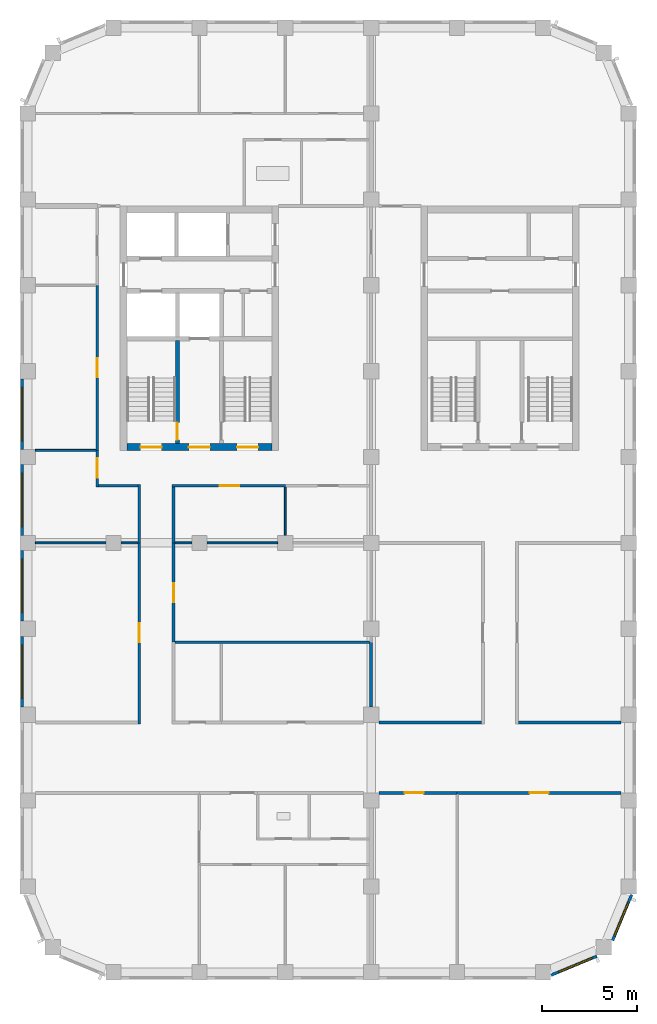
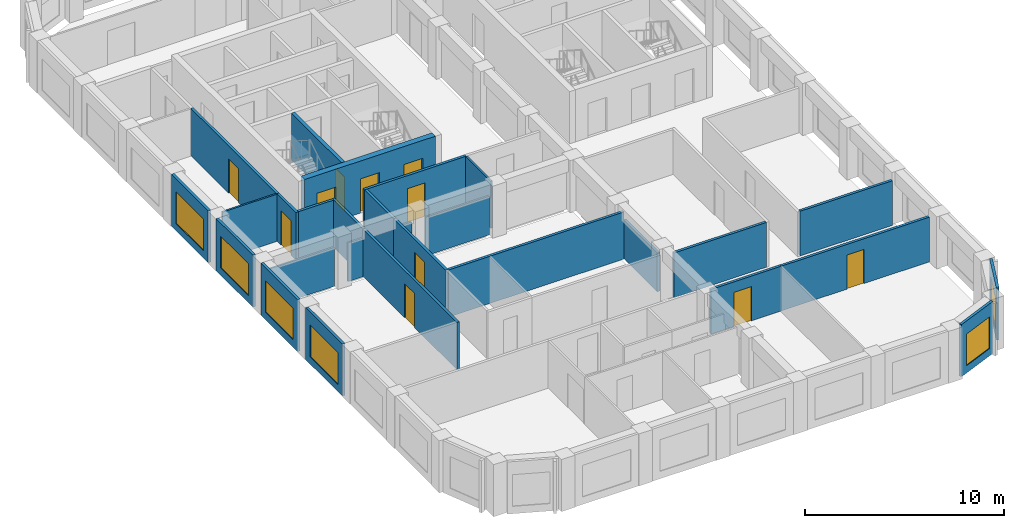
# One storey, part 3 of 9: 28 walls, 11 doors, 6 windows, 17 openings.
"""IFC4 building model written with IfcOpenShell, lengths in metres."""

from ifc_helpers import new_model, si_unit, direction, frame, frame_2d, origin, place, context, subcontext, project, spatial, rectangle, extrude, material, layer, layer_set, type_object, element, fill, save


model = new_model("IFC4")

# Units and contexts
model_context = context("Model", 3, precision=1e-05, world=origin(), true_north=direction((0.0, 1.0)))
body_context = subcontext(model_context, "Body", "Model", "MODEL_VIEW")
ifc_project = project(units=[si_unit("LENGTHUNIT", "METRE"), si_unit("AREAUNIT", "SQUARE_METRE"), si_unit("VOLUMEUNIT", "CUBIC_METRE"), si_unit("PLANEANGLEUNIT", "RADIAN"), si_unit("MASSUNIT", "GRAM", prefix="KILO")], contexts=[model_context])

# Site, building, storey
site_placement = place(None, origin())
site = spatial("IfcSite", under=ifc_project, at=site_placement, CompositionType="ELEMENT")
building_placement = place(site_placement, origin())
building = spatial("IfcBuilding", under=site, at=building_placement, Name="Girih Gate Residences", CompositionType="ELEMENT")
storey_placement = place(building_placement, frame((0.0, 0.0, 185.89990234375)))
storey = spatial("IfcBuildingStorey", under=building, at=storey_placement, Name="L51", CompositionType="ELEMENT", Elevation=185.89990234375)

# Wall, opening, door
ifc_material_1 = material(Name="Gypsum board on steel studs", Category="steel")
ifc_layer_1 = layer(ifc_material_1, 0.14990234375)
ifc_layer_set_1 = layer_set([ifc_layer_1], Name="Compartment wall 150 mm")
wall_type_1 = type_object("IfcWallType", Name="Compartment wall 150 mm", PredefinedType="PARTITIONING", material=ifc_layer_set_1)
wall_1_placement = place(storey_placement, frame((7.64990234375, 22.5, 0.0), z_axis=(0.0, 0.0, 1.0), x_axis=(0.0, -1.0, 0.0)))
wall_1 = element("IfcWall", 1, at=wall_1_placement, inside=storey, type_object=wall_type_1, Name="L51 partition", PredefinedType="PARTITIONING", context=body_context, shape_type="SweptSolid", body=[
    extrude(rectangle(XDim=5.199951171875, YDim=0.14990234375, at=frame_2d((2.60009765625, 0.0))), origin(), (0.0, 0.0, 1.0), 2.900146484375),
])
opening_1_placement = place(wall_1_placement, frame((2.10009765625, 0.0, 0.0)))
opening_1 = element("IfcOpeningElement", 2, at=opening_1_placement, cuts=wall_1, Name="Opening A51-013", PredefinedType="OPENING", context=body_context, shape_type="SweptSolid", body=[
    extrude(rectangle(XDim=1.0, YDim=2.10009765625, at=frame_2d((0.5, 1.050048828125))), frame((0.0, 0.0849609375, 0.0), z_axis=(0.0, -1.0, 0.0), x_axis=(1.0, 0.0, 0.0)), (0.0, 0.0, 1.0), 0.169921875),
])
ifc_material_2 = material(Name="Timber, fire-rated core", Category="wood")
door_type_1 = type_object("IfcDoorType", Name="Amenity room door 1000x2100 FD30S", OperationType="NOTDEFINED", PredefinedType="DOOR", material=ifc_material_2)
door_1_placement = place(opening_1_placement, origin())
door_1 = element("IfcDoor", 3, at=door_1_placement, inside=storey, type_object=door_type_1, Name="Door A51-013", OperationType="SINGLE_SWING_RIGHT", OverallHeight=2.10009765625, OverallWidth=1.0, PredefinedType="DOOR", context=body_context, shape_type="SweptSolid", body=[
    extrude(rectangle(XDim=1.0, YDim=2.10009765625, at=frame_2d((0.5, 1.050048828125))), frame((0.0, 0.02490234375, 0.0), z_axis=(0.0, -1.0, 0.0), x_axis=(1.0, 0.0, 0.0)), (0.0, 0.0, 1.0), 0.050048828125),
])
fill(opening_1, door_1)

# Wall
wall_2_placement = place(storey_placement, frame((7.72509765625, 17.300048828125, 0.0), z_axis=(0.0, 0.0, 1.0), x_axis=(1.0, 0.0, 0.0)))
element("IfcWall", 4, at=wall_2_placement, inside=storey, type_object=wall_type_1, Name="L51 partition", PredefinedType="PARTITIONING", context=body_context, shape_type="SweptSolid", body=[
    extrude(rectangle(XDim=10.199951171875, YDim=0.14990234375, at=frame_2d((5.10009765625, 0.0))), origin(), (0.0, 0.0, 1.0), 2.900146484375),
])

# Wall, opening, door
wall_3_placement = place(storey_placement, frame((22.5, 9.39990234375, 0.0), z_axis=(0.0, 0.0, 1.0), x_axis=(-1.0, 0.0, 0.0)))
wall_3 = element("IfcWall", 5, at=wall_3_placement, inside=storey, type_object=wall_type_1, Name="L51 partition", PredefinedType="PARTITIONING", context=body_context, shape_type="SweptSolid", body=[
    extrude(rectangle(XDim=4.10009765625, YDim=0.14990234375, at=frame_2d((2.050048828125, 0.0))), origin(), (0.0, 0.0, 1.0), 2.75),
])
opening_2_placement = place(wall_3_placement, frame((1.75, 0.0, 0.0)))
opening_2 = element("IfcOpeningElement", 6, at=opening_2_placement, cuts=wall_3, Name="Opening A51-016", PredefinedType="OPENING", context=body_context, shape_type="SweptSolid", body=[
    extrude(rectangle(XDim=1.0, YDim=2.10009765625, at=frame_2d((0.5, 1.050048828125))), frame((0.0, 0.0849609375, 0.0), z_axis=(0.0, -1.0, 0.0), x_axis=(1.0, 0.0, 0.0)), (0.0, 0.0, 1.0), 0.169921875),
])
door_2_placement = place(opening_2_placement, origin())
door_2 = element("IfcDoor", 7, at=door_2_placement, inside=storey, type_object=door_type_1, Name="Door A51-016", OperationType="SINGLE_SWING_RIGHT", OverallHeight=2.10009765625, OverallWidth=1.0, PredefinedType="DOOR", context=body_context, shape_type="SweptSolid", body=[
    extrude(rectangle(XDim=1.0, YDim=2.10009765625, at=frame_2d((0.5, 1.050048828125))), frame((0.0, 0.02490234375, 0.0), z_axis=(0.0, -1.0, 0.0), x_axis=(1.0, 0.0, 0.0)), (0.0, 0.0, 1.0), 0.050048828125),
])
fill(opening_2, door_2)

wall_4_placement = place(storey_placement, frame((31.10009765625, 9.39990234375, 0.0), z_axis=(0.0, 0.0, 1.0), x_axis=(-1.0, 0.0, 0.0)))
wall_4 = element("IfcWall", 8, at=wall_4_placement, inside=storey, type_object=wall_type_1, Name="L51 partition", PredefinedType="PARTITIONING", context=body_context, shape_type="SweptSolid", body=[
    extrude(rectangle(XDim=8.60009765625, YDim=0.14990234375, at=frame_2d((4.300048828125, 0.0))), origin(), (0.0, 0.0, 1.0), 2.75),
])
opening_3_placement = place(wall_4_placement, frame((3.800048828125, 0.0, 0.0)))
opening_3 = element("IfcOpeningElement", 9, at=opening_3_placement, cuts=wall_4, Name="Opening A51-017", PredefinedType="OPENING", context=body_context, shape_type="SweptSolid", body=[
    extrude(rectangle(XDim=1.0, YDim=2.10009765625, at=frame_2d((0.5, 1.050048828125))), frame((0.0, 0.0849609375, 0.0), z_axis=(0.0, -1.0, 0.0), x_axis=(1.0, 0.0, 0.0)), (0.0, 0.0, 1.0), 0.169921875),
])
door_3_placement = place(opening_3_placement, origin())
door_3 = element("IfcDoor", 10, at=door_3_placement, inside=storey, type_object=door_type_1, Name="Door A51-017", OperationType="SINGLE_SWING_RIGHT", OverallHeight=2.10009765625, OverallWidth=1.0, PredefinedType="DOOR", context=body_context, shape_type="SweptSolid", body=[
    extrude(rectangle(XDim=1.0, YDim=2.10009765625, at=frame_2d((0.5, 1.050048828125))), frame((0.0, 0.02490234375, 0.0), z_axis=(0.0, -1.0, 0.0), x_axis=(1.0, 0.0, 0.0)), (0.0, 0.0, 1.0), 0.050048828125),
])
fill(opening_3, door_3)

# Walls
for number, where, z_axis, x_axis, name in (
    (11, (18.39990234375, 13.10009765625, 0.0), (0.0, 0.0, 1.0), (1.0, 0.0, 0.0), "L51 partition"),
    (12, (25.72509765625, 13.10009765625, 0.0), (0.0, 0.0, 1.0), (1.0, 0.0, 0.0), "L51 partition"),
):
    element("IfcWall", number, at=place(storey_placement, frame(where, z_axis=z_axis, x_axis=x_axis)), inside=storey, type_object=wall_type_1, Name=name, PredefinedType="PARTITIONING", context=body_context, shape_type="SweptSolid", body=[
        extrude(rectangle(XDim=5.375, YDim=0.14990234375, at=frame_2d((2.6875, 0.0))), origin(), (0.0, 0.0, 1.0), 2.75),
    ])
wall_5_placement = place(storey_placement, frame((18.0, 13.89990234375, 0.0), z_axis=(0.0, 0.0, 1.0), x_axis=(0.0, 1.0, 0.0)))
element("IfcWall", 13, at=wall_5_placement, inside=storey, type_object=wall_type_1, Name="L51 partition", PredefinedType="PARTITIONING", context=body_context, shape_type="SweptSolid", body=[
    extrude(rectangle(XDim=3.400146484375, YDim=0.14990234375, at=frame_2d((1.7001953125, 0.0))), origin(), (0.0, 0.0, 1.0), 2.380126953125),
])
wall_6_placement = place(storey_placement, frame((5.85009765625, 22.5, 0.0), z_axis=(0.0, 0.0, 1.0), x_axis=(0.0, 1.0, 0.0)))
element("IfcWall", 14, at=wall_6_placement, inside=storey, type_object=wall_type_1, Name="L51 partition", PredefinedType="PARTITIONING", context=body_context, shape_type="SweptSolid", body=[
    extrude(rectangle(XDim=3.074951171875, YDim=0.14990234375, at=frame_2d((1.53759765625, 0.0))), origin(), (0.0, 0.0, 1.0), 2.900146484375),
])
wall_7_placement = place(storey_placement, frame((3.72509765625, 25.5, 0.0), z_axis=(0.0, 0.0, 1.0), x_axis=(1.0, 0.0, 0.0)))
element("IfcWall", 15, at=wall_7_placement, inside=storey, type_object=wall_type_1, Name="L51 partition", PredefinedType="PARTITIONING", context=body_context, shape_type="SweptSolid", body=[
    extrude(rectangle(XDim=2.0498046875, YDim=0.14990234375, at=frame_2d((1.02490234375, 0.0))), origin(), (0.0, 0.0, 1.0), 2.900146484375),
])

# Wall, opening, door
wall_8_placement = place(storey_placement, frame((3.64990234375, 25.425048828125, 0.0), z_axis=(0.0, 0.0, 1.0), x_axis=(0.0, 1.0, 0.0)))
wall_8 = element("IfcWall", 16, at=wall_8_placement, inside=storey, type_object=wall_type_1, Name="L51 partition", PredefinedType="PARTITIONING", context=body_context, shape_type="SweptSolid", body=[
    extrude(rectangle(XDim=1.925048828125, YDim=0.14990234375, at=frame_2d((0.96240234375, 0.0))), origin(), (0.0, 0.0, 1.0), 2.900146484375),
])
opening_4_placement = place(wall_8_placement, frame((0.5, 0.0, 0.0)))
opening_4 = element("IfcOpeningElement", 17, at=opening_4_placement, cuts=wall_8, Name="Opening A51-022", PredefinedType="OPENING", context=body_context, shape_type="SweptSolid", body=[
    extrude(rectangle(XDim=1.0, YDim=2.10009765625, at=frame_2d((0.5, 1.050048828125))), frame((0.0, 0.0849609375, 0.0), z_axis=(0.0, -1.0, 0.0), x_axis=(1.0, 0.0, 0.0)), (0.0, 0.0, 1.0), 0.169921875),
])
door_4_placement = place(opening_4_placement, origin())
door_4 = element("IfcDoor", 18, at=door_4_placement, inside=storey, type_object=door_type_1, Name="Door A51-022", OperationType="SINGLE_SWING_RIGHT", OverallHeight=2.10009765625, OverallWidth=1.0, PredefinedType="DOOR", context=body_context, shape_type="SweptSolid", body=[
    extrude(rectangle(XDim=1.0, YDim=2.10009765625, at=frame_2d((0.5, 1.050048828125))), frame((0.0, 0.02490234375, 0.0), z_axis=(0.0, -1.0, 0.0), x_axis=(1.0, 0.0, 0.0)), (0.0, 0.0, 1.0), 0.050048828125),
])
fill(opening_4, door_4)

wall_9_placement = place(storey_placement, frame((13.5, 25.5, 0.0), z_axis=(0.0, 0.0, 1.0), x_axis=(-1.0, 0.0, 0.0)))
wall_9 = element("IfcWall", 19, at=wall_9_placement, inside=storey, type_object=wall_type_1, Name="L51 partition", PredefinedType="PARTITIONING", context=body_context, shape_type="SweptSolid", body=[
    extrude(rectangle(XDim=5.925048828125, YDim=0.14990234375, at=frame_2d((2.96240234375, 0.0))), origin(), (0.0, 0.0, 1.0), 2.900146484375),
])
opening_5_placement = place(wall_9_placement, frame((2.425048828125, 0.0, 0.0)))
opening_5 = element("IfcOpeningElement", 20, at=opening_5_placement, cuts=wall_9, Name="Opening A51-023", PredefinedType="OPENING", context=body_context, shape_type="SweptSolid", body=[
    extrude(rectangle(XDim=1.0, YDim=2.10009765625, at=frame_2d((0.5, 1.050048828125))), frame((0.0, 0.0849609375, 0.0), z_axis=(0.0, -1.0, 0.0), x_axis=(1.0, 0.0, 0.0)), (0.0, 0.0, 1.0), 0.169921875),
])
door_5_placement = place(opening_5_placement, origin())
door_5 = element("IfcDoor", 21, at=door_5_placement, inside=storey, type_object=door_type_1, Name="Door A51-023", OperationType="SINGLE_SWING_LEFT", OverallHeight=2.10009765625, OverallWidth=1.0, PredefinedType="DOOR", context=body_context, shape_type="SweptSolid", body=[
    extrude(rectangle(XDim=1.0, YDim=2.10009765625, at=frame_2d((0.5, 1.050048828125))), frame((0.0, 0.02490234375, 0.0), z_axis=(0.0, -1.0, 0.0), x_axis=(1.0, 0.0, 0.0)), (0.0, 0.0, 1.0), 0.050048828125),
])
fill(opening_5, door_5)

# Wall
wall_10_placement = place(storey_placement, frame((7.64990234375, 22.5, 0.0), z_axis=(0.0, 0.0, 1.0), x_axis=(0.0, 1.0, 0.0)))
element("IfcWall", 22, at=wall_10_placement, inside=storey, type_object=wall_type_1, Name="L51 partition", PredefinedType="PARTITIONING", context=body_context, shape_type="SweptSolid", body=[
    extrude(rectangle(XDim=2.925048828125, YDim=0.14990234375, at=frame_2d((1.46240234375, 0.0))), origin(), (0.0, 0.0, 1.0), 2.900146484375),
])

# Wall, opening, door
wall_11_placement = place(storey_placement, frame((3.64990234375, 27.35009765625, 0.0), z_axis=(0.0, 0.0, 1.0), x_axis=(0.0, 1.0, 0.0)))
wall_11 = element("IfcWall", 23, at=wall_11_placement, inside=storey, type_object=wall_type_1, Name="L51 partition", PredefinedType="PARTITIONING", context=body_context, shape_type="SweptSolid", body=[
    extrude(rectangle(XDim=8.64990234375, YDim=0.14990234375, at=frame_2d((4.324951171875, 0.0))), origin(), (0.0, 0.0, 1.0), 2.900146484375),
])
opening_6_placement = place(wall_11_placement, frame((3.824951171875, 0.0, 0.0)))
opening_6 = element("IfcOpeningElement", 24, at=opening_6_placement, cuts=wall_11, Name="Opening A51-025", PredefinedType="OPENING", context=body_context, shape_type="SweptSolid", body=[
    extrude(rectangle(XDim=1.0, YDim=2.10009765625, at=frame_2d((0.5, 1.050048828125))), frame((0.0, 0.0849609375, 0.0), z_axis=(0.0, -1.0, 0.0), x_axis=(1.0, 0.0, 0.0)), (0.0, 0.0, 1.0), 0.169921875),
])
door_6_placement = place(opening_6_placement, origin())
door_6 = element("IfcDoor", 25, at=door_6_placement, inside=storey, type_object=door_type_1, Name="Door A51-025", OperationType="SINGLE_SWING_RIGHT", OverallHeight=2.10009765625, OverallWidth=1.0, PredefinedType="DOOR", context=body_context, shape_type="SweptSolid", body=[
    extrude(rectangle(XDim=1.0, YDim=2.10009765625, at=frame_2d((0.5, 1.050048828125))), frame((0.0, 0.02490234375, 0.0), z_axis=(0.0, -1.0, 0.0), x_axis=(1.0, 0.0, 0.0)), (0.0, 0.0, 1.0), 0.050048828125),
])
fill(opening_6, door_6)

wall_12_placement = place(storey_placement, frame((5.85009765625, 13.02490234375, 0.0), z_axis=(0.0, 0.0, 1.0), x_axis=(0.0, 1.0, 0.0)))
wall_12 = element("IfcWall", 26, at=wall_12_placement, inside=storey, type_object=wall_type_1, Name="L51 partition", PredefinedType="PARTITIONING", context=body_context, shape_type="SweptSolid", body=[
    extrude(rectangle(XDim=9.47509765625, YDim=0.14990234375, at=frame_2d((4.737548828125, 0.0))), origin(), (0.0, 0.0, 1.0), 2.900146484375),
])
opening_7_placement = place(wall_12_placement, frame((4.27490234375, 0.0, 0.0)))
opening_7 = element("IfcOpeningElement", 27, at=opening_7_placement, cuts=wall_12, Name="Opening A51-027", PredefinedType="OPENING", context=body_context, shape_type="SweptSolid", body=[
    extrude(rectangle(XDim=1.0, YDim=2.10009765625, at=frame_2d((0.5, 1.050048828125))), frame((0.0, 0.0849609375, 0.0), z_axis=(0.0, -1.0, 0.0), x_axis=(1.0, 0.0, 0.0)), (0.0, 0.0, 1.0), 0.169921875),
])
door_7_placement = place(opening_7_placement, origin())
door_7 = element("IfcDoor", 28, at=door_7_placement, inside=storey, type_object=door_type_1, Name="Door A51-027", OperationType="SINGLE_SWING_RIGHT", OverallHeight=2.10009765625, OverallWidth=1.0, PredefinedType="DOOR", context=body_context, shape_type="SweptSolid", body=[
    extrude(rectangle(XDim=1.0, YDim=2.10009765625, at=frame_2d((0.5, 1.050048828125))), frame((0.0, 0.02490234375, 0.0), z_axis=(0.0, -1.0, 0.0), x_axis=(1.0, 0.0, 0.0)), (0.0, 0.0, 1.0), 0.050048828125),
])
fill(opening_7, door_7)

# Wall, openings, doors
ifc_material_3 = material(Name="Concrete C60/75", Category="concrete")
ifc_layer_2 = layer(ifc_material_3, 0.35009765625)
ifc_layer_set_2 = layer_set([ifc_layer_2], Name="Core wall RC 350 Concrete C60/75")
wall_type_2 = type_object("IfcWallType", Name="Core wall RC 350 Concrete C60/75", PredefinedType="SOLIDWALL", material=ifc_layer_set_2)
wall_13_placement = place(storey_placement, frame((5.199951171875, 27.52490234375, 0.0), z_axis=(0.0, 0.0, 1.0), x_axis=(1.0, 0.0, 0.0)))
wall_13 = element("IfcWall", 29, at=wall_13_placement, inside=storey, type_object=wall_type_2, Name="Core wall W-S L51", PredefinedType="SOLIDWALL", context=body_context, shape_type="SweptSolid", body=[
    extrude(rectangle(XDim=7.60009765625, YDim=0.35009765625, at=frame_2d((3.800048828125, 0.0))), origin(), (0.0, 0.0, 1.0), 3.2001953125),
])
opening_8_placement = place(wall_13_placement, frame((0.72509765625, 0.0, 0.0)))
opening_8 = element("IfcOpeningElement", 30, at=opening_8_placement, cuts=wall_13, Name="Opening D-L51-W-009", PredefinedType="OPENING", context=body_context, shape_type="SweptSolid", body=[
    extrude(rectangle(XDim=1.10009765625, YDim=2.10009765625, at=frame_2d((0.550048828125, 1.050048828125))), frame((0.0, 0.18505859375, 0.0), z_axis=(0.0, -1.0, 0.0), x_axis=(1.0, 0.0, 0.0)), (0.0, 0.0, 1.0), 0.3701171875),
])
opening_9_placement = place(wall_13_placement, frame((3.25, 0.0, 0.0)))
opening_9 = element("IfcOpeningElement", 31, at=opening_9_placement, cuts=wall_13, Name="Opening D-L51-W-010", PredefinedType="OPENING", context=body_context, shape_type="SweptSolid", body=[
    extrude(rectangle(XDim=1.10009765625, YDim=2.10009765625, at=frame_2d((0.550048828125, 1.050048828125))), frame((0.0, 0.18505859375, 0.0), z_axis=(0.0, -1.0, 0.0), x_axis=(1.0, 0.0, 0.0)), (0.0, 0.0, 1.0), 0.3701171875),
])
opening_10_placement = place(wall_13_placement, frame((5.77490234375, 0.0, 0.0)))
opening_10 = element("IfcOpeningElement", 32, at=opening_10_placement, cuts=wall_13, Name="Opening D-L51-W-011", PredefinedType="OPENING", context=body_context, shape_type="SweptSolid", body=[
    extrude(rectangle(XDim=1.10009765625, YDim=2.10009765625, at=frame_2d((0.550048828125, 1.050048828125))), frame((0.0, 0.18505859375, 0.0), z_axis=(0.0, -1.0, 0.0), x_axis=(1.0, 0.0, 0.0)), (0.0, 0.0, 1.0), 0.3701171875),
])
ifc_material_4 = material(Name="Painted steel, fire-resisting", Category="steel")
door_type_2 = type_object("IfcDoorType", Name="Fire door 1100x2100", OperationType="SINGLE_SWING_LEFT", PredefinedType="DOOR", material=ifc_material_4)
door_8_placement = place(opening_8_placement, origin())
door_8 = element("IfcDoor", 33, at=door_8_placement, inside=storey, type_object=door_type_2, Name="L51 W core door sta-out", OperationType="SINGLE_SWING_LEFT", OverallHeight=2.10009765625, OverallWidth=1.10009765625, PredefinedType="DOOR", context=body_context, shape_type="SweptSolid", body=[
    extrude(rectangle(XDim=1.10009765625, YDim=2.10009765625, at=frame_2d((0.550048828125, 1.050048828125))), frame((0.0, 0.02490234375, 0.0), z_axis=(0.0, -1.0, 0.0), x_axis=(1.0, 0.0, 0.0)), (0.0, 0.0, 1.0), 0.050048828125),
])
fill(opening_8, door_8)
door_9_placement = place(opening_9_placement, origin())
door_9 = element("IfcDoor", 34, at=door_9_placement, inside=storey, type_object=door_type_2, Name="L51 W core door ffl-out", OperationType="SINGLE_SWING_LEFT", OverallHeight=2.10009765625, OverallWidth=1.10009765625, PredefinedType="DOOR", context=body_context, shape_type="SweptSolid", body=[
    extrude(rectangle(XDim=1.10009765625, YDim=2.10009765625, at=frame_2d((0.550048828125, 1.050048828125))), frame((0.0, 0.02490234375, 0.0), z_axis=(0.0, -1.0, 0.0), x_axis=(1.0, 0.0, 0.0)), (0.0, 0.0, 1.0), 0.050048828125),
])
fill(opening_9, door_9)
door_10_placement = place(opening_10_placement, origin())
door_10 = element("IfcDoor", 35, at=door_10_placement, inside=storey, type_object=door_type_2, Name="L51 W core door stb-out", OperationType="SINGLE_SWING_LEFT", OverallHeight=2.10009765625, OverallWidth=1.10009765625, PredefinedType="DOOR", context=body_context, shape_type="SweptSolid", body=[
    extrude(rectangle(XDim=1.10009765625, YDim=2.10009765625, at=frame_2d((0.550048828125, 1.050048828125))), frame((0.0, 0.02490234375, 0.0), z_axis=(0.0, -1.0, 0.0), x_axis=(1.0, 0.0, 0.0)), (0.0, 0.0, 1.0), 0.050048828125),
])
fill(opening_10, door_10)

# Walls
ifc_layer_3 = layer(ifc_material_1, 0.10009765625)
ifc_layer_set_3 = layer_set([ifc_layer_3], Name="Partition 100 mm")
wall_type_3 = type_object("IfcWallType", Name="Partition 100 mm", PredefinedType="PARTITIONING", material=ifc_layer_set_3)
wall_14_placement = place(storey_placement, frame((7.72509765625, 22.5, 0.0), z_axis=(0.0, 0.0, 1.0), x_axis=(1.0, 0.0, 0.0)))
element("IfcWall", 36, at=wall_14_placement, inside=storey, type_object=wall_type_3, Name="L51 partition", PredefinedType="PARTITIONING", context=body_context, shape_type="SweptSolid", body=[
    extrude(rectangle(XDim=0.875, YDim=0.10009765625, at=frame_2d((0.4375, 0.0))), origin(), (0.0, 0.0, 1.0), 2.380126953125),
])
wall_15_placement = place(storey_placement, frame((9.39990234375, 22.5, 0.0), z_axis=(0.0, 0.0, 1.0), x_axis=(1.0, 0.0, 0.0)))
element("IfcWall", 37, at=wall_15_placement, inside=storey, type_object=wall_type_3, Name="L51 partition", PredefinedType="PARTITIONING", context=body_context, shape_type="SweptSolid", body=[
    extrude(rectangle(XDim=3.7001953125, YDim=0.10009765625, at=frame_2d((1.85009765625, 0.0))), origin(), (0.0, 0.0, 1.0), 2.380126953125),
])
wall_16_placement = place(storey_placement, frame((0.39990234375, 27.35009765625, 0.0), z_axis=(0.0, 0.0, 1.0), x_axis=(1.0, 0.0, 0.0)))
element("IfcWall", 38, at=wall_16_placement, inside=storey, type_object=wall_type_3, Name="L51 partition", PredefinedType="PARTITIONING", context=body_context, shape_type="SweptSolid", body=[
    extrude(rectangle(XDim=3.175048828125, YDim=0.10009765625, at=frame_2d((1.58740234375, 0.0))), origin(), (0.0, 0.0, 1.0), 2.900146484375),
])
wall_17_placement = place(storey_placement, frame((4.89990234375, 22.5, 0.0), z_axis=(0.0, 0.0, 1.0), x_axis=(1.0, 0.0, 0.0)))
element("IfcWall", 39, at=wall_17_placement, inside=storey, type_object=wall_type_3, Name="L51 partition", PredefinedType="PARTITIONING", context=body_context, shape_type="SweptSolid", body=[
    extrude(rectangle(XDim=0.875, YDim=0.10009765625, at=frame_2d((0.4375, 0.0))), origin(), (0.0, 0.0, 1.0), 2.380126953125),
])
wall_18_placement = place(storey_placement, frame((0.39990234375, 22.5, 0.0), z_axis=(0.0, 0.0, 1.0), x_axis=(1.0, 0.0, 0.0)))
element("IfcWall", 40, at=wall_18_placement, inside=storey, type_object=wall_type_3, Name="L51 partition", PredefinedType="PARTITIONING", context=body_context, shape_type="SweptSolid", body=[
    extrude(rectangle(XDim=3.7001953125, YDim=0.10009765625, at=frame_2d((1.85009765625, 0.0))), origin(), (0.0, 0.0, 1.0), 2.380126953125),
])
wall_19_placement = place(storey_placement, frame((13.5, 22.89990234375, 0.0), z_axis=(0.0, 0.0, 1.0), x_axis=(0.0, 1.0, 0.0)))
element("IfcWall", 41, at=wall_19_placement, inside=storey, type_object=wall_type_3, Name="L51 partition", PredefinedType="PARTITIONING", context=body_context, shape_type="SweptSolid", body=[
    extrude(rectangle(XDim=2.525146484375, YDim=0.10009765625, at=frame_2d((1.2626953125, 0.0))), origin(), (0.0, 0.0, 1.0), 2.900146484375),
])

# Wall, opening, window
ifc_material_5 = material(Name="Precast concrete C50/60", Category="concrete")
ifc_layer_4 = layer(ifc_material_5, 0.050048828125, Name="Outer leaf")
ifc_material_6 = material(Name="Rigid PIR insulation")
ifc_layer_5 = layer(ifc_material_6, 0.06005859375, Name="Insulation")
ifc_material_7 = material(Name="Precast concrete C40/50", Category="concrete")
ifc_layer_6 = layer(ifc_material_7, 0.0400390625, Name="Inner leaf")
ifc_layer_set_4 = layer_set([ifc_layer_4, ifc_layer_5, ifc_layer_6], Name="Precast concrete C50/60 external wall 150")
wall_type_4 = type_object("IfcWallType", Name="Precast concrete C50/60 external wall 150", PredefinedType="SOLIDWALL", material=ifc_layer_set_4)
wall_20_placement = place(storey_placement, frame((29.8330078125, 0.8486328125, 0.0), z_axis=(0.0, 0.0, 1.0), x_axis=(-0.923885342263, -0.382669406082, 0.0)))
wall_20 = element("IfcWall", 42, at=wall_20_placement, inside=storey, type_object=wall_type_4, Name="External wall SE0270_0000.0", PredefinedType="SOLIDWALL", context=body_context, shape_type="SweptSolid", body=[
    extrude(rectangle(XDim=2.602294921875, YDim=0.14990234375, at=frame_2d((1.30126953125, 0.0))), origin(), (0.0, 0.0, 1.0), 3.2001953125),
])
opening_11_placement = place(wall_20_placement, frame((0.27001953125, 0.0, 0.449951171875)))
opening_11 = element("IfcOpeningElement", 43, at=opening_11_placement, cuts=wall_20, Name="Opening W-2G", PredefinedType="OPENING", context=body_context, shape_type="SweptSolid", body=[
    extrude(rectangle(XDim=1.89990234375, YDim=1.949951171875, at=frame_2d((0.949951171875, 0.97509765625))), frame((0.0, 0.0849609375, 0.0), z_axis=(0.0, -1.0, 0.0), x_axis=(1.0, 0.0, 0.0)), (0.0, 0.0, 1.0), 0.169921875),
])
ifc_material_8 = material(Name="Double glazing in aluminium frame", Category="aluminium")
window_type_1 = type_object("IfcWindowType", Name="Window W-2G 1900x1950", PartitioningType="SINGLE_PANEL", PredefinedType="WINDOW", material=ifc_material_8)
window_1_placement = place(opening_11_placement, origin())
window_1 = element("IfcWindow", 44, at=window_1_placement, inside=storey, type_object=window_type_1, Name="Window W-2G SE0270_0000.0", OverallHeight=1.949951171875, OverallWidth=1.89990234375, PartitioningType="SINGLE_PANEL", PredefinedType="WINDOW", context=body_context, shape_type="SweptSolid", body=[
    extrude(rectangle(XDim=1.89990234375, YDim=1.949951171875, at=frame_2d((0.949951171875, 0.97509765625))), frame((0.0, 0.030029296875, 0.0), z_axis=(0.0, -1.0, 0.0), x_axis=(1.0, 0.0, 0.0)), (0.0, 0.0, 1.0), 0.06005859375),
])
fill(opening_11, window_1)

wall_21_placement = place(storey_placement, frame((31.647216796875, 4.0712890625, 0.0), z_axis=(0.0, 0.0, 1.0), x_axis=(-0.382669406082, -0.923885342263, 0.0)))
wall_21 = element("IfcWall", 45, at=wall_21_placement, inside=storey, type_object=wall_type_4, Name="External wall SE0302_0013.0", PredefinedType="SOLIDWALL", context=body_context, shape_type="SweptSolid", body=[
    extrude(rectangle(XDim=2.602294921875, YDim=0.14990234375, at=frame_2d((1.30126953125, 0.0))), origin(), (0.0, 0.0, 1.0), 3.2001953125),
])
opening_12_placement = place(wall_21_placement, frame((0.432373046875, 0.0, 0.449951171875)))
opening_12 = element("IfcOpeningElement", 46, at=opening_12_placement, cuts=wall_21, Name="Opening W-2G", PredefinedType="OPENING", context=body_context, shape_type="SweptSolid", body=[
    extrude(rectangle(XDim=1.89990234375, YDim=1.949951171875, at=frame_2d((0.949951171875, 0.97509765625))), frame((0.0, 0.0849609375, 0.0), z_axis=(0.0, -1.0, 0.0), x_axis=(1.0, 0.0, 0.0)), (0.0, 0.0, 1.0), 0.169921875),
])
window_2_placement = place(opening_12_placement, origin())
window_2 = element("IfcWindow", 47, at=window_2_placement, inside=storey, type_object=window_type_1, Name="Window W-2G SE0302_0013.0", OverallHeight=1.949951171875, OverallWidth=1.89990234375, PartitioningType="SINGLE_PANEL", PredefinedType="WINDOW", context=body_context, shape_type="SweptSolid", body=[
    extrude(rectangle(XDim=1.89990234375, YDim=1.949951171875, at=frame_2d((0.949951171875, 0.97509765625))), frame((0.0, 0.030029296875, 0.0), z_axis=(0.0, -1.0, 0.0), x_axis=(1.0, 0.0, 0.0)), (0.0, 0.0, 1.0), 0.06005859375),
])
fill(opening_12, window_2)

wall_22_placement = place(storey_placement, frame((-0.300048828125, 27.39990234375, 0.0), z_axis=(0.0, 0.0, 1.0), x_axis=(0.0, 1.0, 0.0)))
wall_22 = element("IfcWall", 48, at=wall_22_placement, inside=storey, type_object=wall_type_4, Name="External wall W0000_0450.3", PredefinedType="SOLIDWALL", context=body_context, shape_type="SweptSolid", body=[
    extrude(rectangle(XDim=3.7001953125, YDim=0.14990234375, at=frame_2d((1.85009765625, 0.0))), origin(), (0.0, 0.0, 1.0), 3.2001953125),
])
opening_13_placement = place(wall_22_placement, frame((0.449951171875, 0.0, 0.449951171875)))
opening_13 = element("IfcOpeningElement", 49, at=opening_13_placement, cuts=wall_22, Name="Opening W-1B", PredefinedType="OPENING", context=body_context, shape_type="SweptSolid", body=[
    extrude(rectangle(XDim=2.800048828125, YDim=1.949951171875, at=frame_2d((1.39990234375, 0.97509765625))), frame((0.0, 0.0849609375, 0.0), z_axis=(0.0, -1.0, 0.0), x_axis=(1.0, 0.0, 0.0)), (0.0, 0.0, 1.0), 0.169921875),
])
window_type_2 = type_object("IfcWindowType", Name="Window W-1B 2800x1950", PartitioningType="SINGLE_PANEL", PredefinedType="WINDOW", material=ifc_material_8)
window_3_placement = place(opening_13_placement, origin())
window_3 = element("IfcWindow", 50, at=window_3_placement, inside=storey, type_object=window_type_2, Name="Window W-1B W0000_0450.3", OverallHeight=1.949951171875, OverallWidth=2.800048828125, PartitioningType="SINGLE_PANEL", PredefinedType="WINDOW", context=body_context, shape_type="SweptSolid", body=[
    extrude(rectangle(XDim=2.800048828125, YDim=1.949951171875, at=frame_2d((1.39990234375, 0.97509765625))), frame((0.0, 0.030029296875, 0.0), z_axis=(0.0, -1.0, 0.0), x_axis=(1.0, 0.0, 0.0)), (0.0, 0.0, 1.0), 0.06005859375),
])
fill(opening_13, window_3)

wall_23_placement = place(storey_placement, frame((-0.300048828125, 22.89990234375, 0.0), z_axis=(0.0, 0.0, 1.0), x_axis=(0.0, 1.0, 0.0)))
wall_23 = element("IfcWall", 51, at=wall_23_placement, inside=storey, type_object=wall_type_4, Name="External wall W0000_0450.4", PredefinedType="SOLIDWALL", context=body_context, shape_type="SweptSolid", body=[
    extrude(rectangle(XDim=3.7001953125, YDim=0.14990234375, at=frame_2d((1.85009765625, 0.0))), origin(), (0.0, 0.0, 1.0), 3.2001953125),
])
opening_14_placement = place(wall_23_placement, frame((0.449951171875, 0.0, 0.449951171875)))
opening_14 = element("IfcOpeningElement", 52, at=opening_14_placement, cuts=wall_23, Name="Opening W-1B", PredefinedType="OPENING", context=body_context, shape_type="SweptSolid", body=[
    extrude(rectangle(XDim=2.800048828125, YDim=1.949951171875, at=frame_2d((1.39990234375, 0.97509765625))), frame((0.0, 0.0849609375, 0.0), z_axis=(0.0, -1.0, 0.0), x_axis=(1.0, 0.0, 0.0)), (0.0, 0.0, 1.0), 0.169921875),
])
window_4_placement = place(opening_14_placement, origin())
window_4 = element("IfcWindow", 53, at=window_4_placement, inside=storey, type_object=window_type_2, Name="Window W-1B W0000_0450.4", OverallHeight=1.949951171875, OverallWidth=2.800048828125, PartitioningType="SINGLE_PANEL", PredefinedType="WINDOW", context=body_context, shape_type="SweptSolid", body=[
    extrude(rectangle(XDim=2.800048828125, YDim=1.949951171875, at=frame_2d((1.39990234375, 0.97509765625))), frame((0.0, 0.030029296875, 0.0), z_axis=(0.0, -1.0, 0.0), x_axis=(1.0, 0.0, 0.0)), (0.0, 0.0, 1.0), 0.06005859375),
])
fill(opening_14, window_4)

wall_24_placement = place(storey_placement, frame((-0.300048828125, 18.39990234375, 0.0), z_axis=(0.0, 0.0, 1.0), x_axis=(0.0, 1.0, 0.0)))
wall_24 = element("IfcWall", 54, at=wall_24_placement, inside=storey, type_object=wall_type_4, Name="External wall W0000_0450.5", PredefinedType="SOLIDWALL", context=body_context, shape_type="SweptSolid", body=[
    extrude(rectangle(XDim=3.7001953125, YDim=0.14990234375, at=frame_2d((1.85009765625, 0.0))), origin(), (0.0, 0.0, 1.0), 3.2001953125),
])
opening_15_placement = place(wall_24_placement, frame((0.449951171875, 0.0, 0.449951171875)))
opening_15 = element("IfcOpeningElement", 55, at=opening_15_placement, cuts=wall_24, Name="Opening W-1B", PredefinedType="OPENING", context=body_context, shape_type="SweptSolid", body=[
    extrude(rectangle(XDim=2.800048828125, YDim=1.949951171875, at=frame_2d((1.39990234375, 0.97509765625))), frame((0.0, 0.0849609375, 0.0), z_axis=(0.0, -1.0, 0.0), x_axis=(1.0, 0.0, 0.0)), (0.0, 0.0, 1.0), 0.169921875),
])
window_5_placement = place(opening_15_placement, origin())
window_5 = element("IfcWindow", 56, at=window_5_placement, inside=storey, type_object=window_type_2, Name="Window W-1B W0000_0450.5", OverallHeight=1.949951171875, OverallWidth=2.800048828125, PartitioningType="SINGLE_PANEL", PredefinedType="WINDOW", context=body_context, shape_type="SweptSolid", body=[
    extrude(rectangle(XDim=2.800048828125, YDim=1.949951171875, at=frame_2d((1.39990234375, 0.97509765625))), frame((0.0, 0.030029296875, 0.0), z_axis=(0.0, -1.0, 0.0), x_axis=(1.0, 0.0, 0.0)), (0.0, 0.0, 1.0), 0.06005859375),
])
fill(opening_15, window_5)

wall_25_placement = place(storey_placement, frame((-0.300048828125, 13.89990234375, 0.0), z_axis=(0.0, 0.0, 1.0), x_axis=(0.0, 1.0, 0.0)))
wall_25 = element("IfcWall", 57, at=wall_25_placement, inside=storey, type_object=wall_type_4, Name="External wall W0000_0450.6", PredefinedType="SOLIDWALL", context=body_context, shape_type="SweptSolid", body=[
    extrude(rectangle(XDim=3.7001953125, YDim=0.14990234375, at=frame_2d((1.85009765625, 0.0))), origin(), (0.0, 0.0, 1.0), 3.2001953125),
])
opening_16_placement = place(wall_25_placement, frame((0.449951171875, 0.0, 0.449951171875)))
opening_16 = element("IfcOpeningElement", 58, at=opening_16_placement, cuts=wall_25, Name="Opening W-1B", PredefinedType="OPENING", context=body_context, shape_type="SweptSolid", body=[
    extrude(rectangle(XDim=2.800048828125, YDim=1.949951171875, at=frame_2d((1.39990234375, 0.97509765625))), frame((0.0, 0.0849609375, 0.0), z_axis=(0.0, -1.0, 0.0), x_axis=(1.0, 0.0, 0.0)), (0.0, 0.0, 1.0), 0.169921875),
])
window_6_placement = place(opening_16_placement, origin())
window_6 = element("IfcWindow", 59, at=window_6_placement, inside=storey, type_object=window_type_2, Name="Window W-1B W0000_0450.6", OverallHeight=1.949951171875, OverallWidth=2.800048828125, PartitioningType="SINGLE_PANEL", PredefinedType="WINDOW", context=body_context, shape_type="SweptSolid", body=[
    extrude(rectangle(XDim=2.800048828125, YDim=1.949951171875, at=frame_2d((1.39990234375, 0.97509765625))), frame((0.0, 0.030029296875, 0.0), z_axis=(0.0, -1.0, 0.0), x_axis=(1.0, 0.0, 0.0)), (0.0, 0.0, 1.0), 0.06005859375),
])
fill(opening_16, window_6)

# Wall, opening, door
ifc_material_9 = material(Name="Concrete C40/50", Category="concrete")
ifc_layer_7 = layer(ifc_material_9, 0.199951171875)
ifc_layer_set_5 = layer_set([ifc_layer_7], Name="Shaft wall 200")
wall_type_5 = type_object("IfcWallType", Name="Shaft wall 200", PredefinedType="SOLIDWALL", material=ifc_layer_set_5)
wall_26_placement = place(storey_placement, frame((7.85009765625, 27.699951171875, 0.0), z_axis=(0.0, 0.0, 1.0), x_axis=(0.0, 1.0, 0.0)))
wall_26 = element("IfcWall", 60, at=wall_26_placement, inside=storey, type_object=wall_type_5, Name="L51 W core wall V1a", PredefinedType="SOLIDWALL", context=body_context, shape_type="SweptSolid", body=[
    extrude(rectangle(XDim=5.400146484375, YDim=0.199951171875, at=frame_2d((2.7001953125, 0.0))), origin(), (0.0, 0.0, 1.0), 2.900146484375),
])
opening_17_placement = place(wall_26_placement, frame((0.199951171875, 0.0, 0.0)))
opening_17 = element("IfcOpeningElement", 61, at=opening_17_placement, cuts=wall_26, Name="Opening D-L51-W-001", PredefinedType="OPENING", context=body_context, shape_type="SweptSolid", body=[
    extrude(rectangle(XDim=0.89990234375, YDim=2.10009765625, at=frame_2d((0.449951171875, 1.050048828125))), frame((0.0, 0.10986328125, 0.0), z_axis=(0.0, -1.0, 0.0), x_axis=(1.0, 0.0, 0.0)), (0.0, 0.0, 1.0), 0.219970703125),
])
door_type_3 = type_object("IfcDoorType", Name="Fire door 900x2100", OperationType="SINGLE_SWING_LEFT", PredefinedType="DOOR", material=ifc_material_4)
door_11_placement = place(opening_17_placement, origin())
door_11 = element("IfcDoor", 62, at=door_11_placement, inside=storey, type_object=door_type_3, Name="L51 W door stair 1 to firefighting lobby", OperationType="SINGLE_SWING_LEFT", OverallHeight=2.10009765625, OverallWidth=0.89990234375, PredefinedType="DOOR", context=body_context, shape_type="SweptSolid", body=[
    extrude(rectangle(XDim=0.89990234375, YDim=2.10009765625, at=frame_2d((0.449951171875, 1.050048828125))), frame((0.0, 0.02490234375, 0.0), z_axis=(0.0, -1.0, 0.0), x_axis=(1.0, 0.0, 0.0)), (0.0, 0.0, 1.0), 0.050048828125),
])
fill(opening_17, door_11)

save(model, "model.ifc")
